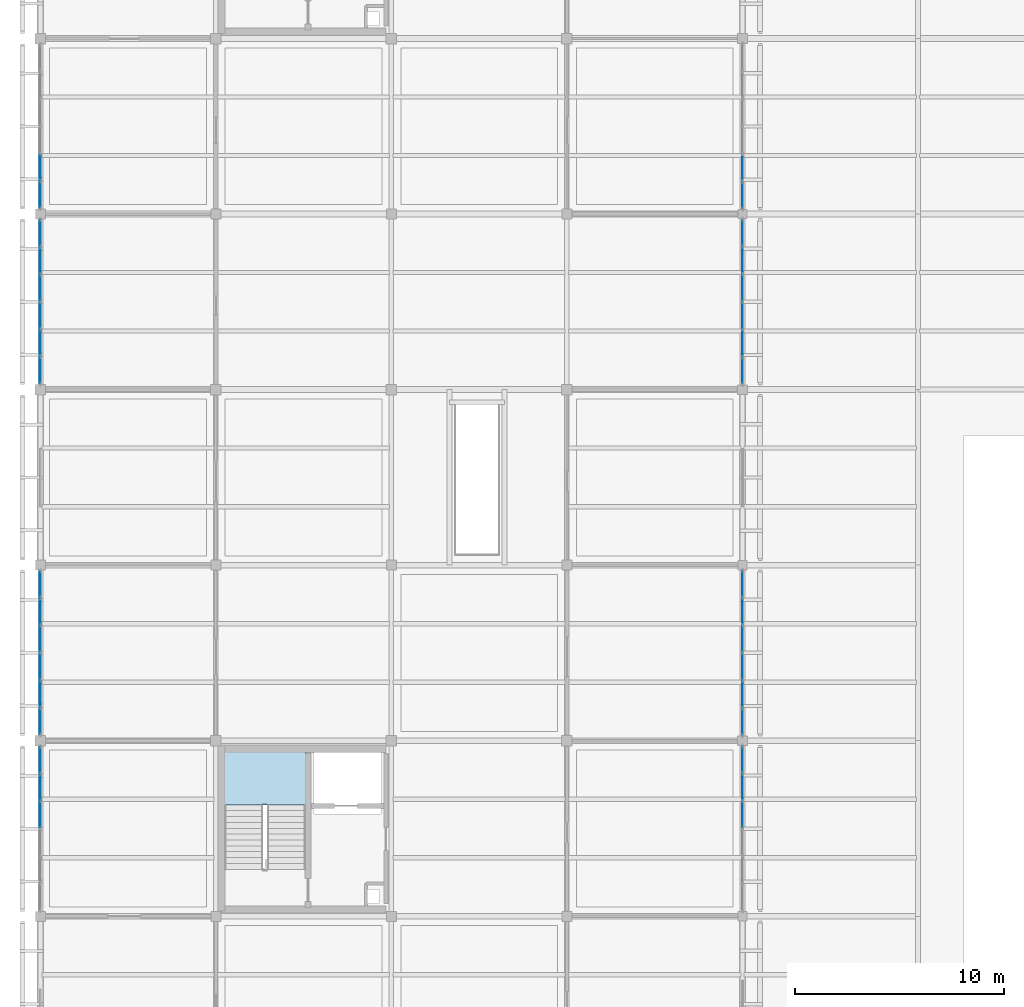
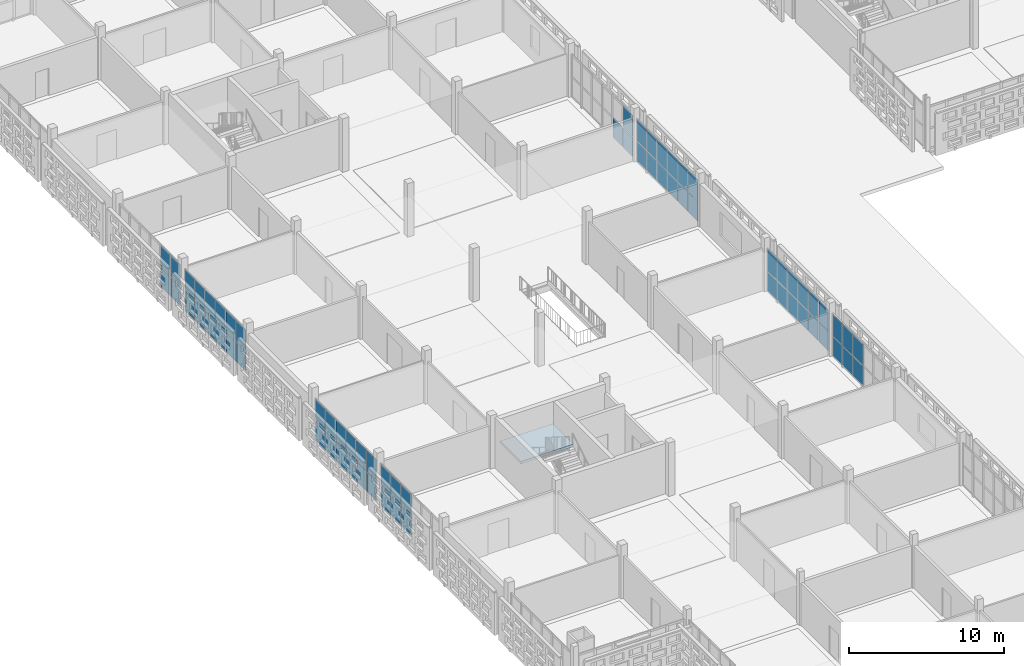
# One storey, part 81 of 166: 67 plates, 1 slab, 9 elements without a shape of their own.
"""IFC4 building model written with IfcOpenShell, lengths in metres."""

from ifc_helpers import new_model, si_unit, direction, frame, origin, origin_2d, place, context, subcontext, project, spatial, polyline, rectangle, outline, extrude, material, layer, layer_set, type_object, element, aggregate, save


model = new_model("IFC4")

# Units and contexts
model_context = context("Model", 3, precision=1e-05, world=origin(), true_north=direction((0.0, 1.0)))
body_context = subcontext(model_context, "Body", "Model", "MODEL_VIEW")
ifc_project = project(units=[si_unit("LENGTHUNIT", "METRE"), si_unit("AREAUNIT", "SQUARE_METRE"), si_unit("VOLUMEUNIT", "CUBIC_METRE"), si_unit("PLANEANGLEUNIT", "RADIAN"), si_unit("MASSUNIT", "GRAM", prefix="KILO")], contexts=[model_context])

# Site, building, storey
site_placement = place(None, origin())
site = spatial("IfcSite", under=ifc_project, at=site_placement, CompositionType="ELEMENT")
building_placement = place(site_placement, origin())
building = spatial("IfcBuilding", under=site, at=building_placement, Name="Varnapada Polytechnic", CompositionType="ELEMENT")
storey_placement = place(building_placement, frame((0.0, 0.0, 9.60009765625)))
storey = spatial("IfcBuildingStorey", under=building, at=storey_placement, Name="L02", CompositionType="ELEMENT", Elevation=9.60009765625)

# Curtain wall, plates
ifc_material_1 = material(Name="Double low-E laminated glass", Category="glass")
ifc_layer_1 = layer(ifc_material_1, 0.179931640625)
ifc_layer_set_1 = layer_set([ifc_layer_1], Name="Double low-E laminated glass")
curtain_wall_type = type_object("IfcCurtainWallType", Name="Curtain Wall CW-03", PredefinedType="NOTDEFINED", material=ifc_layer_set_1)
curtain_wall_1_placement = place(storey_placement, origin())
curtain_wall_1 = element("IfcCurtainWall", 1, at=curtain_wall_1_placement, inside=storey, type_object=curtain_wall_type, Name="L02 unitised curtain wall CW-03 (130)", PredefinedType="NOTDEFINED")
ifc_layer_2 = layer(ifc_material_1, 0.031982421875)
ifc_layer_set_2 = layer_set([ifc_layer_2], Name="Double low-E laminated glass")
plate_type = type_object("IfcPlateType", Name="Curtain Panel PNL-02", PredefinedType="CURTAIN_PANEL", material=ifc_layer_set_2)
plate_1_placement = place(storey_placement, frame((0.0, 63.654052734375, 0.06494140625), z_axis=(0.0, 0.0, 1.0), x_axis=(0.0, 1.0, 0.0)))
plate_1 = element("IfcPlate", 2, at=plate_1_placement, type_object=plate_type, Name="CW-03 panel 4.1", PredefinedType="CURTAIN_PANEL", context=body_context, shape_type="SweptSolid", body=[
    extrude(rectangle(XDim=1.25341796875, YDim=0.031982421875, at=origin_2d()), origin(), (0.0, 0.0, 1.0), 1.515380859375),
])
plate_2_placement = place(storey_placement, frame((0.0, 63.654052734375, 1.64501953125), z_axis=(0.0, 0.0, 1.0), x_axis=(0.0, 1.0, 0.0)))
plate_2 = element("IfcPlate", 3, at=plate_2_placement, type_object=plate_type, Name="CW-03 panel 4.2", PredefinedType="CURTAIN_PANEL", context=body_context, shape_type="SweptSolid", body=[
    extrude(rectangle(XDim=1.25341796875, YDim=0.031982421875, at=origin_2d()), origin(), (0.0, 0.0, 1.0), 1.649658203125),
])
plate_3_placement = place(storey_placement, frame((0.0, 64.972412109375, 0.06494140625), z_axis=(0.0, 0.0, 1.0), x_axis=(0.0, 1.0, 0.0)))
plate_3 = element("IfcPlate", 4, at=plate_3_placement, type_object=plate_type, Name="CW-03 panel 5.1", PredefinedType="CURTAIN_PANEL", context=body_context, shape_type="SweptSolid", body=[
    extrude(rectangle(XDim=1.25341796875, YDim=0.031982421875, at=origin_2d()), origin(), (0.0, 0.0, 1.0), 1.515380859375),
])
plate_4_placement = place(storey_placement, frame((0.0, 64.972412109375, 1.64501953125), z_axis=(0.0, 0.0, 1.0), x_axis=(0.0, 1.0, 0.0)))
plate_4 = element("IfcPlate", 5, at=plate_4_placement, type_object=plate_type, Name="CW-03 panel 5.2", PredefinedType="CURTAIN_PANEL", context=body_context, shape_type="SweptSolid", body=[
    extrude(rectangle(XDim=1.25341796875, YDim=0.031982421875, at=origin_2d()), origin(), (0.0, 0.0, 1.0), 1.649658203125),
])
plate_5_placement = place(storey_placement, frame((0.0, 66.274658203125, 0.06494140625), z_axis=(0.0, 0.0, 1.0), x_axis=(0.0, 1.0, 0.0)))
plate_5 = element("IfcPlate", 6, at=plate_5_placement, type_object=plate_type, Name="CW-03 panel 6.1", PredefinedType="CURTAIN_PANEL", context=body_context, shape_type="SweptSolid", body=[
    extrude(rectangle(XDim=1.220947265625, YDim=0.031982421875, at=origin_2d()), origin(), (0.0, 0.0, 1.0), 1.515380859375),
])
plate_6_placement = place(storey_placement, frame((0.0, 66.274658203125, 1.64501953125), z_axis=(0.0, 0.0, 1.0), x_axis=(0.0, 1.0, 0.0)))
plate_6 = element("IfcPlate", 7, at=plate_6_placement, type_object=plate_type, Name="CW-03 panel 6.2", PredefinedType="CURTAIN_PANEL", context=body_context, shape_type="SweptSolid", body=[
    extrude(rectangle(XDim=1.220947265625, YDim=0.031982421875, at=origin_2d()), origin(), (0.0, 0.0, 1.0), 1.649658203125),
])
aggregate(curtain_wall_1, [plate_1, plate_2, plate_3, plate_4, plate_5, plate_6])

curtain_wall_2_placement = place(storey_placement, origin())
curtain_wall_2 = element("IfcCurtainWall", 8, at=curtain_wall_2_placement, inside=storey, type_object=curtain_wall_type, Name="L02 unitised curtain wall CW-03 (131)", PredefinedType="NOTDEFINED")
plate_7_placement = place(storey_placement, frame((0.0, 68.12548828125, 0.06494140625), z_axis=(0.0, 0.0, 1.0), x_axis=(0.0, 1.0, 0.0)))
plate_7 = element("IfcPlate", 9, at=plate_7_placement, type_object=plate_type, Name="CW-03 panel 1.1", PredefinedType="CURTAIN_PANEL", context=body_context, shape_type="SweptSolid", body=[
    extrude(rectangle(XDim=1.220947265625, YDim=0.031982421875, at=origin_2d()), origin(), (0.0, 0.0, 1.0), 1.515380859375),
])
plate_8_placement = place(storey_placement, frame((0.0, 68.12548828125, 1.64501953125), z_axis=(0.0, 0.0, 1.0), x_axis=(0.0, 1.0, 0.0)))
plate_8 = element("IfcPlate", 10, at=plate_8_placement, type_object=plate_type, Name="CW-03 panel 1.2", PredefinedType="CURTAIN_PANEL", context=body_context, shape_type="SweptSolid", body=[
    extrude(rectangle(XDim=1.220947265625, YDim=0.031982421875, at=origin_2d()), origin(), (0.0, 0.0, 1.0), 1.649658203125),
])
plate_9_placement = place(storey_placement, frame((0.0, 69.427490234375, 0.06494140625), z_axis=(0.0, 0.0, 1.0), x_axis=(0.0, 1.0, 0.0)))
plate_9 = element("IfcPlate", 11, at=plate_9_placement, type_object=plate_type, Name="CW-03 panel 2.1", PredefinedType="CURTAIN_PANEL", context=body_context, shape_type="SweptSolid", body=[
    extrude(rectangle(XDim=1.25341796875, YDim=0.031982421875, at=origin_2d()), origin(), (0.0, 0.0, 1.0), 1.515380859375),
])
plate_10_placement = place(storey_placement, frame((0.0, 69.427490234375, 1.64501953125), z_axis=(0.0, 0.0, 1.0), x_axis=(0.0, 1.0, 0.0)))
plate_10 = element("IfcPlate", 12, at=plate_10_placement, type_object=plate_type, Name="CW-03 panel 2.2", PredefinedType="CURTAIN_PANEL", context=body_context, shape_type="SweptSolid", body=[
    extrude(rectangle(XDim=1.25341796875, YDim=0.031982421875, at=origin_2d()), origin(), (0.0, 0.0, 1.0), 1.649658203125),
])
plate_11_placement = place(storey_placement, frame((0.0, 70.745849609375, 0.06494140625), z_axis=(0.0, 0.0, 1.0), x_axis=(0.0, 1.0, 0.0)))
plate_11 = element("IfcPlate", 13, at=plate_11_placement, type_object=plate_type, Name="CW-03 panel 3.1", PredefinedType="CURTAIN_PANEL", context=body_context, shape_type="SweptSolid", body=[
    extrude(rectangle(XDim=1.25341796875, YDim=0.031982421875, at=origin_2d()), origin(), (0.0, 0.0, 1.0), 1.515380859375),
])
plate_12_placement = place(storey_placement, frame((0.0, 70.745849609375, 1.64501953125), z_axis=(0.0, 0.0, 1.0), x_axis=(0.0, 1.0, 0.0)))
plate_12 = element("IfcPlate", 14, at=plate_12_placement, type_object=plate_type, Name="CW-03 panel 3.2", PredefinedType="CURTAIN_PANEL", context=body_context, shape_type="SweptSolid", body=[
    extrude(rectangle(XDim=1.25341796875, YDim=0.031982421875, at=origin_2d()), origin(), (0.0, 0.0, 1.0), 1.649658203125),
])
plate_13_placement = place(storey_placement, frame((0.0, 72.064208984375, 0.06494140625), z_axis=(0.0, 0.0, 1.0), x_axis=(0.0, 1.0, 0.0)))
plate_13 = element("IfcPlate", 15, at=plate_13_placement, type_object=plate_type, Name="CW-03 panel 4.1", PredefinedType="CURTAIN_PANEL", context=body_context, shape_type="SweptSolid", body=[
    extrude(rectangle(XDim=1.25341796875, YDim=0.031982421875, at=origin_2d()), origin(), (0.0, 0.0, 1.0), 1.515380859375),
])
plate_14_placement = place(storey_placement, frame((0.0, 72.064208984375, 1.64501953125), z_axis=(0.0, 0.0, 1.0), x_axis=(0.0, 1.0, 0.0)))
plate_14 = element("IfcPlate", 16, at=plate_14_placement, type_object=plate_type, Name="CW-03 panel 4.2", PredefinedType="CURTAIN_PANEL", context=body_context, shape_type="SweptSolid", body=[
    extrude(rectangle(XDim=1.25341796875, YDim=0.031982421875, at=origin_2d()), origin(), (0.0, 0.0, 1.0), 1.649658203125),
])
plate_15_placement = place(storey_placement, frame((0.0, 73.382568359375, 0.06494140625), z_axis=(0.0, 0.0, 1.0), x_axis=(0.0, 1.0, 0.0)))
plate_15 = element("IfcPlate", 17, at=plate_15_placement, type_object=plate_type, Name="CW-03 panel 5.1", PredefinedType="CURTAIN_PANEL", context=body_context, shape_type="SweptSolid", body=[
    extrude(rectangle(XDim=1.25341796875, YDim=0.031982421875, at=origin_2d()), origin(), (0.0, 0.0, 1.0), 1.515380859375),
])
plate_16_placement = place(storey_placement, frame((0.0, 73.382568359375, 1.64501953125), z_axis=(0.0, 0.0, 1.0), x_axis=(0.0, 1.0, 0.0)))
plate_16 = element("IfcPlate", 18, at=plate_16_placement, type_object=plate_type, Name="CW-03 panel 5.2", PredefinedType="CURTAIN_PANEL", context=body_context, shape_type="SweptSolid", body=[
    extrude(rectangle(XDim=1.25341796875, YDim=0.031982421875, at=origin_2d()), origin(), (0.0, 0.0, 1.0), 1.649658203125),
])
plate_17_placement = place(storey_placement, frame((0.0, 74.6845703125, 0.06494140625), z_axis=(0.0, 0.0, 1.0), x_axis=(0.0, 1.0, 0.0)))
plate_17 = element("IfcPlate", 19, at=plate_17_placement, type_object=plate_type, Name="CW-03 panel 6.1", PredefinedType="CURTAIN_PANEL", context=body_context, shape_type="SweptSolid", body=[
    extrude(rectangle(XDim=1.220947265625, YDim=0.031982421875, at=origin_2d()), origin(), (0.0, 0.0, 1.0), 1.515380859375),
])
plate_18_placement = place(storey_placement, frame((0.0, 74.6845703125, 1.64501953125), z_axis=(0.0, 0.0, 1.0), x_axis=(0.0, 1.0, 0.0)))
plate_18 = element("IfcPlate", 20, at=plate_18_placement, type_object=plate_type, Name="CW-03 panel 6.2", PredefinedType="CURTAIN_PANEL", context=body_context, shape_type="SweptSolid", body=[
    extrude(rectangle(XDim=1.220947265625, YDim=0.031982421875, at=origin_2d()), origin(), (0.0, 0.0, 1.0), 1.649658203125),
])
aggregate(curtain_wall_2, [plate_7, plate_8, plate_9, plate_10, plate_11, plate_12, plate_13, plate_14, plate_15, plate_16, plate_17, plate_18])

curtain_wall_3_placement = place(storey_placement, origin())
curtain_wall_3 = element("IfcCurtainWall", 21, at=curtain_wall_3_placement, inside=storey, type_object=curtain_wall_type, Name="L02 unitised curtain wall CW-03 (132)", PredefinedType="NOTDEFINED")
plate_19_placement = place(storey_placement, frame((0.0, 84.925537109375, 0.06494140625), z_axis=(0.0, 0.0, 1.0), x_axis=(0.0, 1.0, 0.0)))
plate_19 = element("IfcPlate", 22, at=plate_19_placement, type_object=plate_type, Name="CW-03 panel 1.1", PredefinedType="CURTAIN_PANEL", context=body_context, shape_type="SweptSolid", body=[
    extrude(rectangle(XDim=1.220947265625, YDim=0.031982421875, at=origin_2d()), origin(), (0.0, 0.0, 1.0), 1.515380859375),
])
plate_20_placement = place(storey_placement, frame((0.0, 84.925537109375, 1.64501953125), z_axis=(0.0, 0.0, 1.0), x_axis=(0.0, 1.0, 0.0)))
plate_20 = element("IfcPlate", 23, at=plate_20_placement, type_object=plate_type, Name="CW-03 panel 1.2", PredefinedType="CURTAIN_PANEL", context=body_context, shape_type="SweptSolid", body=[
    extrude(rectangle(XDim=1.220947265625, YDim=0.031982421875, at=origin_2d()), origin(), (0.0, 0.0, 1.0), 1.649658203125),
])
plate_21_placement = place(storey_placement, frame((0.0, 86.2275390625, 0.06494140625), z_axis=(0.0, 0.0, 1.0), x_axis=(0.0, 1.0, 0.0)))
plate_21 = element("IfcPlate", 24, at=plate_21_placement, type_object=plate_type, Name="CW-03 panel 2.1", PredefinedType="CURTAIN_PANEL", context=body_context, shape_type="SweptSolid", body=[
    extrude(rectangle(XDim=1.25341796875, YDim=0.031982421875, at=origin_2d()), origin(), (0.0, 0.0, 1.0), 1.515380859375),
])
plate_22_placement = place(storey_placement, frame((0.0, 86.2275390625, 1.64501953125), z_axis=(0.0, 0.0, 1.0), x_axis=(0.0, 1.0, 0.0)))
plate_22 = element("IfcPlate", 25, at=plate_22_placement, type_object=plate_type, Name="CW-03 panel 2.2", PredefinedType="CURTAIN_PANEL", context=body_context, shape_type="SweptSolid", body=[
    extrude(rectangle(XDim=1.25341796875, YDim=0.031982421875, at=origin_2d()), origin(), (0.0, 0.0, 1.0), 1.649658203125),
])
plate_23_placement = place(storey_placement, frame((0.0, 87.5458984375, 0.06494140625), z_axis=(0.0, 0.0, 1.0), x_axis=(0.0, 1.0, 0.0)))
plate_23 = element("IfcPlate", 26, at=plate_23_placement, type_object=plate_type, Name="CW-03 panel 3.1", PredefinedType="CURTAIN_PANEL", context=body_context, shape_type="SweptSolid", body=[
    extrude(rectangle(XDim=1.25341796875, YDim=0.031982421875, at=origin_2d()), origin(), (0.0, 0.0, 1.0), 1.515380859375),
])
plate_24_placement = place(storey_placement, frame((0.0, 87.5458984375, 1.64501953125), z_axis=(0.0, 0.0, 1.0), x_axis=(0.0, 1.0, 0.0)))
plate_24 = element("IfcPlate", 27, at=plate_24_placement, type_object=plate_type, Name="CW-03 panel 3.2", PredefinedType="CURTAIN_PANEL", context=body_context, shape_type="SweptSolid", body=[
    extrude(rectangle(XDim=1.25341796875, YDim=0.031982421875, at=origin_2d()), origin(), (0.0, 0.0, 1.0), 1.649658203125),
])
plate_25_placement = place(storey_placement, frame((0.0, 88.8642578125, 0.06494140625), z_axis=(0.0, 0.0, 1.0), x_axis=(0.0, 1.0, 0.0)))
plate_25 = element("IfcPlate", 28, at=plate_25_placement, type_object=plate_type, Name="CW-03 panel 4.1", PredefinedType="CURTAIN_PANEL", context=body_context, shape_type="SweptSolid", body=[
    extrude(rectangle(XDim=1.25341796875, YDim=0.031982421875, at=origin_2d()), origin(), (0.0, 0.0, 1.0), 1.515380859375),
])
plate_26_placement = place(storey_placement, frame((0.0, 88.8642578125, 1.64501953125), z_axis=(0.0, 0.0, 1.0), x_axis=(0.0, 1.0, 0.0)))
plate_26 = element("IfcPlate", 29, at=plate_26_placement, type_object=plate_type, Name="CW-03 panel 4.2", PredefinedType="CURTAIN_PANEL", context=body_context, shape_type="SweptSolid", body=[
    extrude(rectangle(XDim=1.25341796875, YDim=0.031982421875, at=origin_2d()), origin(), (0.0, 0.0, 1.0), 1.649658203125),
])
plate_27_placement = place(storey_placement, frame((0.0, 90.1826171875, 0.06494140625), z_axis=(0.0, 0.0, 1.0), x_axis=(0.0, 1.0, 0.0)))
plate_27 = element("IfcPlate", 30, at=plate_27_placement, type_object=plate_type, Name="CW-03 panel 5.1", PredefinedType="CURTAIN_PANEL", context=body_context, shape_type="SweptSolid", body=[
    extrude(rectangle(XDim=1.25341796875, YDim=0.031982421875, at=origin_2d()), origin(), (0.0, 0.0, 1.0), 1.515380859375),
])
plate_28_placement = place(storey_placement, frame((0.0, 90.1826171875, 1.64501953125), z_axis=(0.0, 0.0, 1.0), x_axis=(0.0, 1.0, 0.0)))
plate_28 = element("IfcPlate", 31, at=plate_28_placement, type_object=plate_type, Name="CW-03 panel 5.2", PredefinedType="CURTAIN_PANEL", context=body_context, shape_type="SweptSolid", body=[
    extrude(rectangle(XDim=1.25341796875, YDim=0.031982421875, at=origin_2d()), origin(), (0.0, 0.0, 1.0), 1.649658203125),
])
plate_29_placement = place(storey_placement, frame((0.0, 91.484619140625, 0.06494140625), z_axis=(0.0, 0.0, 1.0), x_axis=(0.0, 1.0, 0.0)))
plate_29 = element("IfcPlate", 32, at=plate_29_placement, type_object=plate_type, Name="CW-03 panel 6.1", PredefinedType="CURTAIN_PANEL", context=body_context, shape_type="SweptSolid", body=[
    extrude(rectangle(XDim=1.220947265625, YDim=0.031982421875, at=origin_2d()), origin(), (0.0, 0.0, 1.0), 1.515380859375),
])
plate_30_placement = place(storey_placement, frame((0.0, 91.484619140625, 1.64501953125), z_axis=(0.0, 0.0, 1.0), x_axis=(0.0, 1.0, 0.0)))
plate_30 = element("IfcPlate", 33, at=plate_30_placement, type_object=plate_type, Name="CW-03 panel 6.2", PredefinedType="CURTAIN_PANEL", context=body_context, shape_type="SweptSolid", body=[
    extrude(rectangle(XDim=1.220947265625, YDim=0.031982421875, at=origin_2d()), origin(), (0.0, 0.0, 1.0), 1.649658203125),
])
aggregate(curtain_wall_3, [plate_19, plate_20, plate_21, plate_22, plate_23, plate_24, plate_25, plate_26, plate_27, plate_28, plate_29, plate_30])

curtain_wall_4_placement = place(storey_placement, origin())
curtain_wall_4 = element("IfcCurtainWall", 34, at=curtain_wall_4_placement, inside=storey, type_object=curtain_wall_type, Name="L02 unitised curtain wall CW-03 (133)", PredefinedType="NOTDEFINED")
plate_31_placement = place(storey_placement, frame((0.0, 93.3154296875, 0.06494140625), z_axis=(0.0, 0.0, 1.0), x_axis=(0.0, 1.0, 0.0)))
plate_31 = element("IfcPlate", 35, at=plate_31_placement, type_object=plate_type, Name="CW-03 panel 1.1", PredefinedType="CURTAIN_PANEL", context=body_context, shape_type="SweptSolid", body=[
    extrude(rectangle(XDim=1.220947265625, YDim=0.031982421875, at=origin_2d()), origin(), (0.0, 0.0, 1.0), 1.515380859375),
])
plate_32_placement = place(storey_placement, frame((0.0, 93.3154296875, 1.64501953125), z_axis=(0.0, 0.0, 1.0), x_axis=(0.0, 1.0, 0.0)))
plate_32 = element("IfcPlate", 36, at=plate_32_placement, type_object=plate_type, Name="CW-03 panel 1.2", PredefinedType="CURTAIN_PANEL", context=body_context, shape_type="SweptSolid", body=[
    extrude(rectangle(XDim=1.220947265625, YDim=0.031982421875, at=origin_2d()), origin(), (0.0, 0.0, 1.0), 1.649658203125),
])
plate_33_placement = place(storey_placement, frame((0.0, 94.617431640625, 0.06494140625), z_axis=(0.0, 0.0, 1.0), x_axis=(0.0, 1.0, 0.0)))
plate_33 = element("IfcPlate", 37, at=plate_33_placement, type_object=plate_type, Name="CW-03 panel 2.1", PredefinedType="CURTAIN_PANEL", context=body_context, shape_type="SweptSolid", body=[
    extrude(rectangle(XDim=1.25341796875, YDim=0.031982421875, at=origin_2d()), origin(), (0.0, 0.0, 1.0), 1.515380859375),
])
plate_34_placement = place(storey_placement, frame((0.0, 94.617431640625, 1.64501953125), z_axis=(0.0, 0.0, 1.0), x_axis=(0.0, 1.0, 0.0)))
plate_34 = element("IfcPlate", 38, at=plate_34_placement, type_object=plate_type, Name="CW-03 panel 2.2", PredefinedType="CURTAIN_PANEL", context=body_context, shape_type="SweptSolid", body=[
    extrude(rectangle(XDim=1.25341796875, YDim=0.031982421875, at=origin_2d()), origin(), (0.0, 0.0, 1.0), 1.649658203125),
])
aggregate(curtain_wall_4, [plate_31, plate_32, plate_33, plate_34])

curtain_wall_5_placement = place(storey_placement, origin())
curtain_wall_5 = element("IfcCurtainWall", 39, at=curtain_wall_5_placement, inside=storey, type_object=curtain_wall_type, Name="L02 unitised curtain wall CW-03 (144)", PredefinedType="NOTDEFINED")
plate_35_placement = place(storey_placement, frame((33.60009765625, 66.291259765625, 0.06494140625), z_axis=(0.0, 0.0, 1.0), x_axis=(0.0, -1.0, 0.0)))
plate_35 = element("IfcPlate", 40, at=plate_35_placement, type_object=plate_type, Name="CW-03 panel 1.1", PredefinedType="CURTAIN_PANEL", context=body_context, shape_type="SweptSolid", body=[
    extrude(rectangle(XDim=1.2275390625, YDim=0.031982421875, at=origin_2d()), origin(), (0.0, 0.0, 1.0), 1.515380859375),
])
plate_36_placement = place(storey_placement, frame((33.60009765625, 66.291259765625, 1.64501953125), z_axis=(0.0, 0.0, 1.0), x_axis=(0.0, -1.0, 0.0)))
plate_36 = element("IfcPlate", 41, at=plate_36_placement, type_object=plate_type, Name="CW-03 panel 1.2", PredefinedType="CURTAIN_PANEL", context=body_context, shape_type="SweptSolid", body=[
    extrude(rectangle(XDim=1.2275390625, YDim=0.031982421875, at=origin_2d()), origin(), (0.0, 0.0, 1.0), 1.649658203125),
])
plate_37_placement = place(storey_placement, frame((33.60009765625, 64.982421875, 0.06494140625), z_axis=(0.0, 0.0, 1.0), x_axis=(0.0, -1.0, 0.0)))
plate_37 = element("IfcPlate", 42, at=plate_37_placement, type_object=plate_type, Name="CW-03 panel 2.1", PredefinedType="CURTAIN_PANEL", context=body_context, shape_type="SweptSolid", body=[
    extrude(rectangle(XDim=1.260009765625, YDim=0.031982421875, at=origin_2d()), origin(), (0.0, 0.0, 1.0), 1.515380859375),
])
plate_38_placement = place(storey_placement, frame((33.60009765625, 64.982421875, 1.64501953125), z_axis=(0.0, 0.0, 1.0), x_axis=(0.0, -1.0, 0.0)))
plate_38 = element("IfcPlate", 43, at=plate_38_placement, type_object=plate_type, Name="CW-03 panel 2.2", PredefinedType="CURTAIN_PANEL", context=body_context, shape_type="SweptSolid", body=[
    extrude(rectangle(XDim=1.260009765625, YDim=0.031982421875, at=origin_2d()), origin(), (0.0, 0.0, 1.0), 1.649658203125),
])
plate_39_placement = place(storey_placement, frame((33.60009765625, 63.657470703125, 0.06494140625), z_axis=(0.0, 0.0, 1.0), x_axis=(0.0, -1.0, 0.0)))
plate_39 = element("IfcPlate", 44, at=plate_39_placement, type_object=plate_type, Name="CW-03 panel 3.1", PredefinedType="CURTAIN_PANEL", context=body_context, shape_type="SweptSolid", body=[
    extrude(rectangle(XDim=1.260009765625, YDim=0.031982421875, at=origin_2d()), origin(), (0.0, 0.0, 1.0), 1.515380859375),
])
plate_40_placement = place(storey_placement, frame((33.60009765625, 63.657470703125, 1.64501953125), z_axis=(0.0, 0.0, 1.0), x_axis=(0.0, -1.0, 0.0)))
plate_40 = element("IfcPlate", 45, at=plate_40_placement, type_object=plate_type, Name="CW-03 panel 3.2", PredefinedType="CURTAIN_PANEL", context=body_context, shape_type="SweptSolid", body=[
    extrude(rectangle(XDim=1.260009765625, YDim=0.031982421875, at=origin_2d()), origin(), (0.0, 0.0, 1.0), 1.649658203125),
])
aggregate(curtain_wall_5, [plate_35, plate_36, plate_37, plate_38, plate_39, plate_40])

curtain_wall_6_placement = place(storey_placement, origin())
curtain_wall_6 = element("IfcCurtainWall", 46, at=curtain_wall_6_placement, inside=storey, type_object=curtain_wall_type, Name="L02 unitised curtain wall CW-03 (145)", PredefinedType="NOTDEFINED")
plate_41_placement = place(storey_placement, frame((33.60009765625, 74.701171875, 0.06494140625), z_axis=(0.0, 0.0, 1.0), x_axis=(0.0, -1.0, 0.0)))
plate_41 = element("IfcPlate", 47, at=plate_41_placement, type_object=plate_type, Name="CW-03 panel 1.1", PredefinedType="CURTAIN_PANEL", context=body_context, shape_type="SweptSolid", body=[
    extrude(rectangle(XDim=1.2275390625, YDim=0.031982421875, at=origin_2d()), origin(), (0.0, 0.0, 1.0), 1.515380859375),
])
plate_42_placement = place(storey_placement, frame((33.60009765625, 74.701171875, 1.64501953125), z_axis=(0.0, 0.0, 1.0), x_axis=(0.0, -1.0, 0.0)))
plate_42 = element("IfcPlate", 48, at=plate_42_placement, type_object=plate_type, Name="CW-03 panel 1.2", PredefinedType="CURTAIN_PANEL", context=body_context, shape_type="SweptSolid", body=[
    extrude(rectangle(XDim=1.2275390625, YDim=0.031982421875, at=origin_2d()), origin(), (0.0, 0.0, 1.0), 1.649658203125),
])
plate_43_placement = place(storey_placement, frame((33.60009765625, 73.392578125, 0.06494140625), z_axis=(0.0, 0.0, 1.0), x_axis=(0.0, -1.0, 0.0)))
plate_43 = element("IfcPlate", 49, at=plate_43_placement, type_object=plate_type, Name="CW-03 panel 2.1", PredefinedType="CURTAIN_PANEL", context=body_context, shape_type="SweptSolid", body=[
    extrude(rectangle(XDim=1.260009765625, YDim=0.031982421875, at=origin_2d()), origin(), (0.0, 0.0, 1.0), 1.515380859375),
])
plate_44_placement = place(storey_placement, frame((33.60009765625, 73.392578125, 1.64501953125), z_axis=(0.0, 0.0, 1.0), x_axis=(0.0, -1.0, 0.0)))
plate_44 = element("IfcPlate", 50, at=plate_44_placement, type_object=plate_type, Name="CW-03 panel 2.2", PredefinedType="CURTAIN_PANEL", context=body_context, shape_type="SweptSolid", body=[
    extrude(rectangle(XDim=1.260009765625, YDim=0.031982421875, at=origin_2d()), origin(), (0.0, 0.0, 1.0), 1.649658203125),
])
plate_45_placement = place(storey_placement, frame((33.60009765625, 72.0673828125, 0.06494140625), z_axis=(0.0, 0.0, 1.0), x_axis=(0.0, -1.0, 0.0)))
plate_45 = element("IfcPlate", 51, at=plate_45_placement, type_object=plate_type, Name="CW-03 panel 3.1", PredefinedType="CURTAIN_PANEL", context=body_context, shape_type="SweptSolid", body=[
    extrude(rectangle(XDim=1.260009765625, YDim=0.031982421875, at=origin_2d()), origin(), (0.0, 0.0, 1.0), 1.515380859375),
])
plate_46_placement = place(storey_placement, frame((33.60009765625, 72.0673828125, 1.64501953125), z_axis=(0.0, 0.0, 1.0), x_axis=(0.0, -1.0, 0.0)))
plate_46 = element("IfcPlate", 52, at=plate_46_placement, type_object=plate_type, Name="CW-03 panel 3.2", PredefinedType="CURTAIN_PANEL", context=body_context, shape_type="SweptSolid", body=[
    extrude(rectangle(XDim=1.260009765625, YDim=0.031982421875, at=origin_2d()), origin(), (0.0, 0.0, 1.0), 1.649658203125),
])
plate_47_placement = place(storey_placement, frame((33.60009765625, 70.742431640625, 0.06494140625), z_axis=(0.0, 0.0, 1.0), x_axis=(0.0, -1.0, 0.0)))
plate_47 = element("IfcPlate", 53, at=plate_47_placement, type_object=plate_type, Name="CW-03 panel 4.1", PredefinedType="CURTAIN_PANEL", context=body_context, shape_type="SweptSolid", body=[
    extrude(rectangle(XDim=1.260009765625, YDim=0.031982421875, at=origin_2d()), origin(), (0.0, 0.0, 1.0), 1.515380859375),
])
plate_48_placement = place(storey_placement, frame((33.60009765625, 70.742431640625, 1.64501953125), z_axis=(0.0, 0.0, 1.0), x_axis=(0.0, -1.0, 0.0)))
plate_48 = element("IfcPlate", 54, at=plate_48_placement, type_object=plate_type, Name="CW-03 panel 4.2", PredefinedType="CURTAIN_PANEL", context=body_context, shape_type="SweptSolid", body=[
    extrude(rectangle(XDim=1.260009765625, YDim=0.031982421875, at=origin_2d()), origin(), (0.0, 0.0, 1.0), 1.649658203125),
])
plate_49_placement = place(storey_placement, frame((33.60009765625, 69.41748046875, 0.06494140625), z_axis=(0.0, 0.0, 1.0), x_axis=(0.0, -1.0, 0.0)))
plate_49 = element("IfcPlate", 55, at=plate_49_placement, type_object=plate_type, Name="CW-03 panel 5.1", PredefinedType="CURTAIN_PANEL", context=body_context, shape_type="SweptSolid", body=[
    extrude(rectangle(XDim=1.260009765625, YDim=0.031982421875, at=origin_2d()), origin(), (0.0, 0.0, 1.0), 1.515380859375),
])
plate_50_placement = place(storey_placement, frame((33.60009765625, 69.41748046875, 1.64501953125), z_axis=(0.0, 0.0, 1.0), x_axis=(0.0, -1.0, 0.0)))
plate_50 = element("IfcPlate", 56, at=plate_50_placement, type_object=plate_type, Name="CW-03 panel 5.2", PredefinedType="CURTAIN_PANEL", context=body_context, shape_type="SweptSolid", body=[
    extrude(rectangle(XDim=1.260009765625, YDim=0.031982421875, at=origin_2d()), origin(), (0.0, 0.0, 1.0), 1.649658203125),
])
plate_51_placement = place(storey_placement, frame((33.60009765625, 68.108642578125, 0.06494140625), z_axis=(0.0, 0.0, 1.0), x_axis=(0.0, -1.0, 0.0)))
plate_51 = element("IfcPlate", 57, at=plate_51_placement, type_object=plate_type, Name="CW-03 panel 6.1", PredefinedType="CURTAIN_PANEL", context=body_context, shape_type="SweptSolid", body=[
    extrude(rectangle(XDim=1.2275390625, YDim=0.031982421875, at=origin_2d()), origin(), (0.0, 0.0, 1.0), 1.515380859375),
])
plate_52_placement = place(storey_placement, frame((33.60009765625, 68.108642578125, 1.64501953125), z_axis=(0.0, 0.0, 1.0), x_axis=(0.0, -1.0, 0.0)))
plate_52 = element("IfcPlate", 58, at=plate_52_placement, type_object=plate_type, Name="CW-03 panel 6.2", PredefinedType="CURTAIN_PANEL", context=body_context, shape_type="SweptSolid", body=[
    extrude(rectangle(XDim=1.2275390625, YDim=0.031982421875, at=origin_2d()), origin(), (0.0, 0.0, 1.0), 1.649658203125),
])
aggregate(curtain_wall_6, [plate_41, plate_42, plate_43, plate_44, plate_45, plate_46, plate_47, plate_48, plate_49, plate_50, plate_51, plate_52])

curtain_wall_7_placement = place(storey_placement, origin())
curtain_wall_7 = element("IfcCurtainWall", 59, at=curtain_wall_7_placement, inside=storey, type_object=curtain_wall_type, Name="L02 unitised curtain wall CW-03 (146)", PredefinedType="NOTDEFINED")
plate_53_placement = place(storey_placement, frame((33.60009765625, 91.501220703125, 0.06494140625), z_axis=(0.0, 0.0, 1.0), x_axis=(0.0, -1.0, 0.0)))
plate_53 = element("IfcPlate", 60, at=plate_53_placement, type_object=plate_type, Name="CW-03 panel 1.1", PredefinedType="CURTAIN_PANEL", context=body_context, shape_type="SweptSolid", body=[
    extrude(rectangle(XDim=1.2275390625, YDim=0.031982421875, at=origin_2d()), origin(), (0.0, 0.0, 1.0), 1.515380859375),
])
plate_54_placement = place(storey_placement, frame((33.60009765625, 91.501220703125, 1.64501953125), z_axis=(0.0, 0.0, 1.0), x_axis=(0.0, -1.0, 0.0)))
plate_54 = element("IfcPlate", 61, at=plate_54_placement, type_object=plate_type, Name="CW-03 panel 1.2", PredefinedType="CURTAIN_PANEL", context=body_context, shape_type="SweptSolid", body=[
    extrude(rectangle(XDim=1.2275390625, YDim=0.031982421875, at=origin_2d()), origin(), (0.0, 0.0, 1.0), 1.649658203125),
])
plate_55_placement = place(storey_placement, frame((33.60009765625, 90.1923828125, 0.06494140625), z_axis=(0.0, 0.0, 1.0), x_axis=(0.0, -1.0, 0.0)))
plate_55 = element("IfcPlate", 62, at=plate_55_placement, type_object=plate_type, Name="CW-03 panel 2.1", PredefinedType="CURTAIN_PANEL", context=body_context, shape_type="SweptSolid", body=[
    extrude(rectangle(XDim=1.260009765625, YDim=0.031982421875, at=origin_2d()), origin(), (0.0, 0.0, 1.0), 1.515380859375),
])
plate_56_placement = place(storey_placement, frame((33.60009765625, 90.1923828125, 1.64501953125), z_axis=(0.0, 0.0, 1.0), x_axis=(0.0, -1.0, 0.0)))
plate_56 = element("IfcPlate", 63, at=plate_56_placement, type_object=plate_type, Name="CW-03 panel 2.2", PredefinedType="CURTAIN_PANEL", context=body_context, shape_type="SweptSolid", body=[
    extrude(rectangle(XDim=1.260009765625, YDim=0.031982421875, at=origin_2d()), origin(), (0.0, 0.0, 1.0), 1.649658203125),
])
plate_57_placement = place(storey_placement, frame((33.60009765625, 88.867431640625, 0.06494140625), z_axis=(0.0, 0.0, 1.0), x_axis=(0.0, -1.0, 0.0)))
plate_57 = element("IfcPlate", 64, at=plate_57_placement, type_object=plate_type, Name="CW-03 panel 3.1", PredefinedType="CURTAIN_PANEL", context=body_context, shape_type="SweptSolid", body=[
    extrude(rectangle(XDim=1.260009765625, YDim=0.031982421875, at=origin_2d()), origin(), (0.0, 0.0, 1.0), 1.515380859375),
])
plate_58_placement = place(storey_placement, frame((33.60009765625, 88.867431640625, 1.64501953125), z_axis=(0.0, 0.0, 1.0), x_axis=(0.0, -1.0, 0.0)))
plate_58 = element("IfcPlate", 65, at=plate_58_placement, type_object=plate_type, Name="CW-03 panel 3.2", PredefinedType="CURTAIN_PANEL", context=body_context, shape_type="SweptSolid", body=[
    extrude(rectangle(XDim=1.260009765625, YDim=0.031982421875, at=origin_2d()), origin(), (0.0, 0.0, 1.0), 1.649658203125),
])
plate_59_placement = place(storey_placement, frame((33.60009765625, 87.54248046875, 0.06494140625), z_axis=(0.0, 0.0, 1.0), x_axis=(0.0, -1.0, 0.0)))
plate_59 = element("IfcPlate", 66, at=plate_59_placement, type_object=plate_type, Name="CW-03 panel 4.1", PredefinedType="CURTAIN_PANEL", context=body_context, shape_type="SweptSolid", body=[
    extrude(rectangle(XDim=1.260009765625, YDim=0.031982421875, at=origin_2d()), origin(), (0.0, 0.0, 1.0), 1.515380859375),
])
plate_60_placement = place(storey_placement, frame((33.60009765625, 87.54248046875, 1.64501953125), z_axis=(0.0, 0.0, 1.0), x_axis=(0.0, -1.0, 0.0)))
plate_60 = element("IfcPlate", 67, at=plate_60_placement, type_object=plate_type, Name="CW-03 panel 4.2", PredefinedType="CURTAIN_PANEL", context=body_context, shape_type="SweptSolid", body=[
    extrude(rectangle(XDim=1.260009765625, YDim=0.031982421875, at=origin_2d()), origin(), (0.0, 0.0, 1.0), 1.649658203125),
])
plate_61_placement = place(storey_placement, frame((33.60009765625, 86.217529296875, 0.06494140625), z_axis=(0.0, 0.0, 1.0), x_axis=(0.0, -1.0, 0.0)))
plate_61 = element("IfcPlate", 68, at=plate_61_placement, type_object=plate_type, Name="CW-03 panel 5.1", PredefinedType="CURTAIN_PANEL", context=body_context, shape_type="SweptSolid", body=[
    extrude(rectangle(XDim=1.260009765625, YDim=0.031982421875, at=origin_2d()), origin(), (0.0, 0.0, 1.0), 1.515380859375),
])
plate_62_placement = place(storey_placement, frame((33.60009765625, 86.217529296875, 1.64501953125), z_axis=(0.0, 0.0, 1.0), x_axis=(0.0, -1.0, 0.0)))
plate_62 = element("IfcPlate", 69, at=plate_62_placement, type_object=plate_type, Name="CW-03 panel 5.2", PredefinedType="CURTAIN_PANEL", context=body_context, shape_type="SweptSolid", body=[
    extrude(rectangle(XDim=1.260009765625, YDim=0.031982421875, at=origin_2d()), origin(), (0.0, 0.0, 1.0), 1.649658203125),
])
plate_63_placement = place(storey_placement, frame((33.60009765625, 84.90869140625, 0.06494140625), z_axis=(0.0, 0.0, 1.0), x_axis=(0.0, -1.0, 0.0)))
plate_63 = element("IfcPlate", 70, at=plate_63_placement, type_object=plate_type, Name="CW-03 panel 6.1", PredefinedType="CURTAIN_PANEL", context=body_context, shape_type="SweptSolid", body=[
    extrude(rectangle(XDim=1.2275390625, YDim=0.031982421875, at=origin_2d()), origin(), (0.0, 0.0, 1.0), 1.515380859375),
])
plate_64_placement = place(storey_placement, frame((33.60009765625, 84.90869140625, 1.64501953125), z_axis=(0.0, 0.0, 1.0), x_axis=(0.0, -1.0, 0.0)))
plate_64 = element("IfcPlate", 71, at=plate_64_placement, type_object=plate_type, Name="CW-03 panel 6.2", PredefinedType="CURTAIN_PANEL", context=body_context, shape_type="SweptSolid", body=[
    extrude(rectangle(XDim=1.2275390625, YDim=0.031982421875, at=origin_2d()), origin(), (0.0, 0.0, 1.0), 1.649658203125),
])
aggregate(curtain_wall_7, [plate_53, plate_54, plate_55, plate_56, plate_57, plate_58, plate_59, plate_60, plate_61, plate_62, plate_63, plate_64])

curtain_wall_8_placement = place(storey_placement, origin())
curtain_wall_8 = element("IfcCurtainWall", 72, at=curtain_wall_8_placement, inside=storey, type_object=curtain_wall_type, Name="L02 unitised curtain wall CW-03 (147)", PredefinedType="NOTDEFINED")
plate_65_placement = place(storey_placement, frame((33.60009765625, 94.607421875, 0.06494140625), z_axis=(0.0, 0.0, 1.0), x_axis=(0.0, -1.0, 0.0)))
plate_65 = element("IfcPlate", 73, at=plate_65_placement, type_object=plate_type, Name="CW-03 panel 5.1", PredefinedType="CURTAIN_PANEL", context=body_context, shape_type="SweptSolid", body=[
    extrude(rectangle(XDim=1.260009765625, YDim=0.031982421875, at=origin_2d()), origin(), (0.0, 0.0, 1.0), 1.515380859375),
])
plate_66_placement = place(storey_placement, frame((33.60009765625, 93.298828125, 0.06494140625), z_axis=(0.0, 0.0, 1.0), x_axis=(0.0, -1.0, 0.0)))
plate_66 = element("IfcPlate", 74, at=plate_66_placement, type_object=plate_type, Name="CW-03 panel 6.1", PredefinedType="CURTAIN_PANEL", context=body_context, shape_type="SweptSolid", body=[
    extrude(rectangle(XDim=1.2275390625, YDim=0.031982421875, at=origin_2d()), origin(), (0.0, 0.0, 1.0), 1.515380859375),
])
plate_67_placement = place(storey_placement, frame((33.60009765625, 93.298828125, 1.64501953125), z_axis=(0.0, 0.0, 1.0), x_axis=(0.0, -1.0, 0.0)))
plate_67 = element("IfcPlate", 75, at=plate_67_placement, type_object=plate_type, Name="CW-03 panel 6.2", PredefinedType="CURTAIN_PANEL", context=body_context, shape_type="SweptSolid", body=[
    extrude(rectangle(XDim=1.2275390625, YDim=0.031982421875, at=origin_2d()), origin(), (0.0, 0.0, 1.0), 1.649658203125),
])
aggregate(curtain_wall_8, [plate_65, plate_66, plate_67])

# Stair, slab
ifc_material_2 = material(Name="Concrete C40/50", Category="concrete")
stair_type = type_object("IfcStairType", Name="Core Exit Stair ST-A", PredefinedType="HALF_TURN_STAIR", material=ifc_material_2)
stair_placement = place(storey_placement, origin())
stair = element("IfcStair", 76, at=stair_placement, inside=storey, type_object=stair_type, Name="L02 Core C2 Exit Stair", PredefinedType="HALF_TURN_STAIR")
ifc_layer_3 = layer(ifc_material_2, 0.199951171875)
ifc_layer_set_3 = layer_set([ifc_layer_3], Name="Concrete C40/50")
slab_type = type_object("IfcSlabType", Name="Stair Half Landing SLD-01", PredefinedType="LANDING", material=ifc_layer_set_3)
slab_placement = place(storey_placement, frame((0.0, 0.0, 1.89990234375)))
slab = element("IfcSlab", 77, at=slab_placement, type_object=slab_type, Name="ST-2 landing 1", PredefinedType="LANDING", context=body_context, shape_type="SweptSolid", body=[
    extrude(outline(polyline([(12.699951171875, 64.1298828125), (12.699951171875, 66.800048828125), (8.800048828125, 66.800048828125), (8.800048828125, 64.1298828125), (12.699951171875, 64.1298828125)])), origin(), (0.0, 0.0, 1.0), 0.199951171875),
])
aggregate(stair, [slab])

save(model, "model.ifc")
